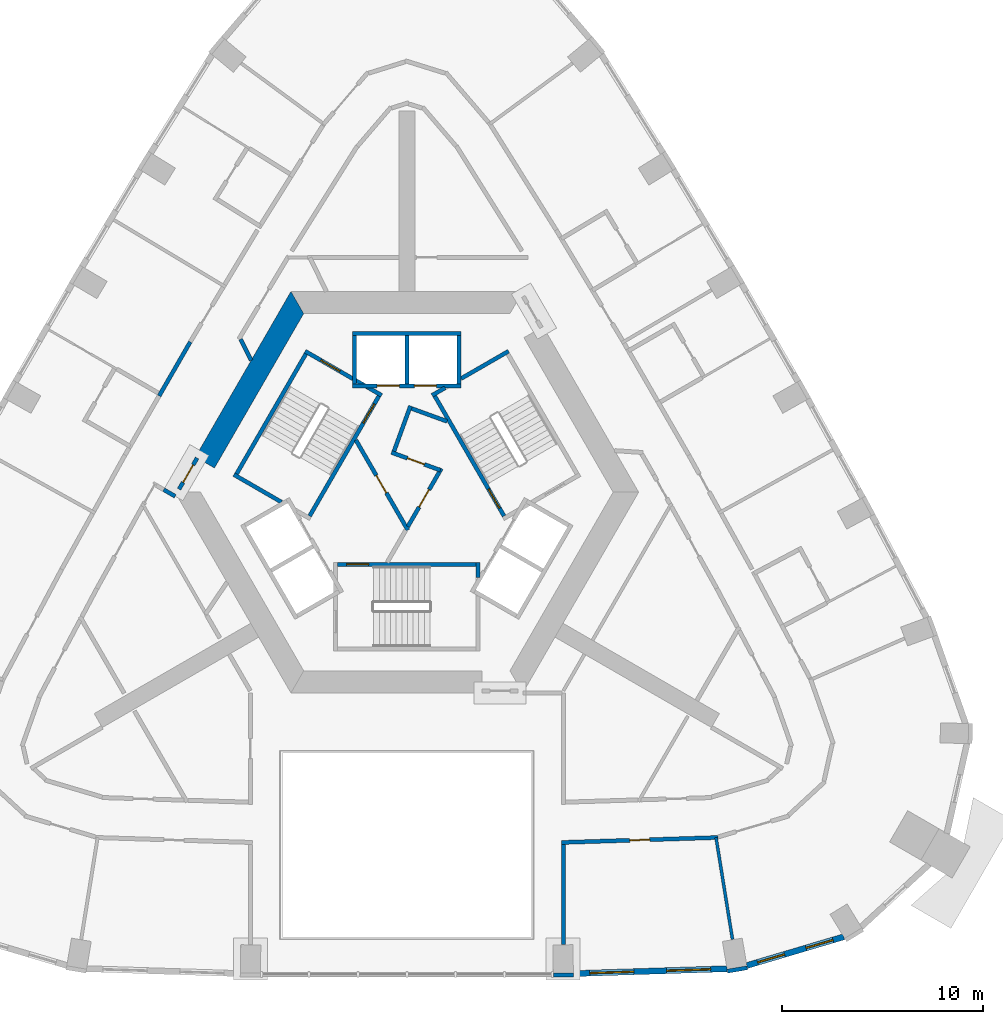
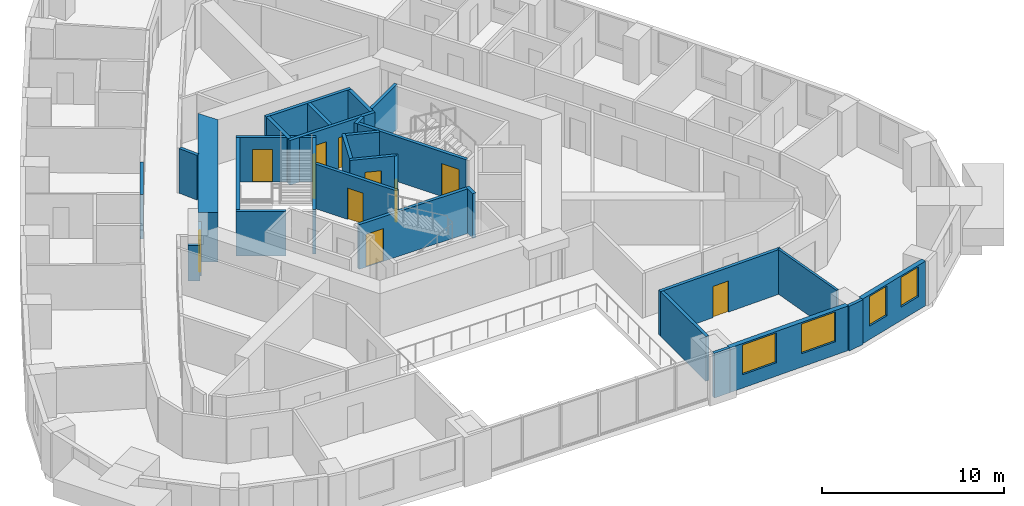
# One storey, part 5 of 12: 31 walls, 11 doors, 4 windows, 15 openings.
"""IFC4 building model written with IfcOpenShell, lengths in metres."""

from ifc_helpers import new_model, si_unit, direction, frame, frame_2d, origin, place, context, subcontext, project, spatial, polyline, rectangle, outline, extrude, material, layer, layer_set, type_object, element, fill, save


model = new_model("IFC4")

# Units and contexts
model_context = context("Model", 3, precision=1e-05, world=origin(), true_north=direction((0.0, 1.0)))
body_context = subcontext(model_context, "Body", "Model", "MODEL_VIEW")
ifc_project = project(units=[si_unit("LENGTHUNIT", "METRE"), si_unit("AREAUNIT", "SQUARE_METRE"), si_unit("VOLUMEUNIT", "CUBIC_METRE"), si_unit("PLANEANGLEUNIT", "RADIAN"), si_unit("MASSUNIT", "GRAM", prefix="KILO")], contexts=[model_context])

# Site, building, storey
site_placement = place(None, origin())
site = spatial("IfcSite", under=ifc_project, at=site_placement, CompositionType="ELEMENT")
building_placement = place(site_placement, origin())
building = spatial("IfcBuilding", under=site, at=building_placement, Name="Entoto Arch Interchange Tower", CompositionType="ELEMENT")
storey_placement = place(building_placement, frame((0.0, 0.0, 277.39990234375)))
storey = spatial("IfcBuildingStorey", under=building, at=storey_placement, Name="L64", CompositionType="ELEMENT", Elevation=277.39990234375)

# Wall, opening, door
ifc_material_1 = material(Name="Reinforced concrete C40/50", Category="concrete")
ifc_layer_1 = layer(ifc_material_1, 0.199951171875)
ifc_layer_set_1 = layer_set([ifc_layer_1], Name="Reinforced concrete C40/50")
wall_type_1 = type_object("IfcWallType", Name="CORE GAP INFILL WALL", PredefinedType="PARTITIONING", material=ifc_layer_set_1)
wall_1_placement = place(storey_placement, frame((-10.448974609375, 4.202880859375, 0.0), z_axis=(0.0, 0.0, 1.0), x_axis=(-0.499914839587, -0.866074565589, 0.0)))
wall_1 = element("IfcWall", 1, at=wall_1_placement, inside=storey, type_object=wall_type_1, Name="wall:L64:gap3", PredefinedType="PARTITIONING", context=body_context, shape_type="SweptSolid", body=[
    extrude(rectangle(XDim=1.794189453125, YDim=0.199951171875, at=frame_2d((0.89697265625, 0.0))), origin(), (0.0, 0.0, 1.0), 2.400146484375),
])
opening_1_placement = place(wall_1_placement, frame((0.39697265625, 0.0, 0.0)))
opening_1 = element("IfcOpeningElement", 2, at=opening_1_placement, cuts=wall_1, Name="Opening L64-D93", PredefinedType="OPENING", context=body_context, shape_type="SweptSolid", body=[
    extrude(rectangle(XDim=1.0, YDim=2.10009765625, at=frame_2d((0.5, 1.050048828125))), frame((0.0, 0.10986328125, 0.0), z_axis=(0.0, -1.0, 0.0), x_axis=(1.0, 0.0, 0.0)), (0.0, 0.0, 1.0), 0.219970703125),
])
ifc_material_2 = material(Name="Fire-rated Steel S235 door and frame", Category="steel")
door_type_1 = type_object("IfcDoorType", Name="DOOR FD-10 1000x2100", OperationType="SINGLE_SWING_LEFT", PredefinedType="DOOR", material=ifc_material_2)
door_1_placement = place(opening_1_placement, origin())
door_1 = element("IfcDoor", 3, at=door_1_placement, inside=storey, type_object=door_type_1, Name="door:L64:gap3", OperationType="SINGLE_SWING_LEFT", OverallHeight=2.10009765625, OverallWidth=1.0, PredefinedType="DOOR", context=body_context, shape_type="SweptSolid", body=[
    extrude(rectangle(XDim=1.0, YDim=2.10009765625, at=frame_2d((0.5, 1.050048828125))), frame((0.0, 0.02490234375, 0.0), z_axis=(0.0, -1.0, 0.0), x_axis=(1.0, 0.0, 0.0)), (0.0, 0.0, 1.0), 0.050048828125),
])
fill(opening_1, door_1)

# Wall
ifc_material_3 = material(Name="Concrete C40/50", Category="concrete")
ifc_layer_2 = layer(ifc_material_3, 1.10009765625)
ifc_layer_set_2 = layer_set([ifc_layer_2], Name="Concrete C40/50")
wall_type_2 = type_object("IfcWallType", Name="Core wall 1100 C40/50", PredefinedType="SHEAR", material=ifc_layer_set_2)
wall_2_placement = place(storey_placement, frame((0.0, 0.0, -0.33984375)))
element("IfcWall", 4, at=wall_2_placement, inside=storey, type_object=wall_type_2, Name="Core wall NW L64", PredefinedType="SHEAR", context=body_context, shape_type="SweptSolid", body=[
    extrude(outline(polyline([(-10.534912109375, 4.2529296875), (-9.5830078125, 3.702880859375), (-5.137939453125, 11.39990234375), (-5.77392578125, 12.5), (-10.534912109375, 4.2529296875)])), origin(), (0.0, 0.0, 1.0), 3.33984375),
])

# Wall, openings, doors
ifc_layer_3 = layer(ifc_material_3, 0.199951171875)
ifc_layer_set_3 = layer_set([ifc_layer_3], Name="Concrete C40/50")
wall_type_3 = type_object("IfcWallType", Name="LIFT SHAFT WALL 200", PredefinedType="STANDARD", material=ifc_layer_set_3)
wall_3_placement = place(storey_placement, frame((2.699951171875, 7.800048828125, 0.0), z_axis=(0.0, 0.0, 1.0), x_axis=(-1.0, 0.0, 0.0)))
wall_3 = element("IfcWall", 5, at=wall_3_placement, inside=storey, type_object=wall_type_3, Name="Shaft wall N1 front", PredefinedType="STANDARD", context=body_context, shape_type="SweptSolid", body=[
    extrude(rectangle(XDim=5.39990234375, YDim=0.199951171875, at=frame_2d((2.699951171875, 0.0))), origin(), (0.0, 0.0, 1.0), 3.0),
])
opening_2_placement = place(wall_3_placement, frame((1.22509765625, 0.0, 0.0)))
opening_2 = element("IfcOpeningElement", 6, at=opening_2_placement, cuts=wall_3, Name="Opening LD-HR1-L64", PredefinedType="OPENING", context=body_context, shape_type="SweptSolid", body=[
    extrude(rectangle(XDim=1.10009765625, YDim=2.10009765625, at=frame_2d((0.550048828125, 1.050048828125))), frame((0.0, 0.10986328125, 0.0), z_axis=(0.0, -1.0, 0.0), x_axis=(1.0, 0.0, 0.0)), (0.0, 0.0, 1.0), 0.219970703125),
])
opening_3_placement = place(wall_3_placement, frame((3.074951171875, 0.0, 0.0)))
opening_3 = element("IfcOpeningElement", 7, at=opening_3_placement, cuts=wall_3, Name="Opening LD-HR2-L64", PredefinedType="OPENING", context=body_context, shape_type="SweptSolid", body=[
    extrude(rectangle(XDim=1.10009765625, YDim=2.10009765625, at=frame_2d((0.550048828125, 1.050048828125))), frame((0.0, 0.10986328125, 0.0), z_axis=(0.0, -1.0, 0.0), x_axis=(1.0, 0.0, 0.0)), (0.0, 0.0, 1.0), 0.219970703125),
])
ifc_material_4 = material(Name="Stainless steel 1.4301 panels", Category="steel")
door_type_2 = type_object("IfcDoorType", Name="LIFT LANDING DOOR LD1 1100x2100", OperationType="SLIDING_TO_LEFT", PredefinedType="DOOR", material=ifc_material_4)
door_2_placement = place(opening_2_placement, origin())
door_2 = element("IfcDoor", 8, at=door_2_placement, inside=storey, type_object=door_type_2, Name="Lift landing door HR1 L64", OperationType="SLIDING_TO_LEFT", OverallHeight=2.10009765625, OverallWidth=1.10009765625, PredefinedType="DOOR", context=body_context, shape_type="SweptSolid", body=[
    extrude(rectangle(XDim=1.10009765625, YDim=2.10009765625, at=frame_2d((0.550048828125, 1.050048828125))), frame((0.0, 0.02490234375, 0.0), z_axis=(0.0, -1.0, 0.0), x_axis=(1.0, 0.0, 0.0)), (0.0, 0.0, 1.0), 0.050048828125),
])
fill(opening_2, door_2)
door_3_placement = place(opening_3_placement, origin())
door_3 = element("IfcDoor", 9, at=door_3_placement, inside=storey, type_object=door_type_2, Name="Lift landing door HR2 L64", OperationType="SLIDING_TO_LEFT", OverallHeight=2.10009765625, OverallWidth=1.10009765625, PredefinedType="DOOR", context=body_context, shape_type="SweptSolid", body=[
    extrude(rectangle(XDim=1.10009765625, YDim=2.10009765625, at=frame_2d((0.550048828125, 1.050048828125))), frame((0.0, 0.02490234375, 0.0), z_axis=(0.0, -1.0, 0.0), x_axis=(1.0, 0.0, 0.0)), (0.0, 0.0, 1.0), 0.050048828125),
])
fill(opening_3, door_3)

# Walls
wall_4_placement = place(storey_placement, frame((2.699951171875, 10.39990234375, 0.0), z_axis=(0.0, 0.0, 1.0), x_axis=(-1.0, 0.0, 0.0)))
element("IfcWall", 10, at=wall_4_placement, inside=storey, type_object=wall_type_3, Name="Shaft wall N1 back", PredefinedType="STANDARD", context=body_context, shape_type="SweptSolid", body=[
    extrude(rectangle(XDim=5.39990234375, YDim=0.199951171875, at=frame_2d((2.699951171875, 0.0))), origin(), (0.0, 0.0, 1.0), 3.0),
])
for number, where, z_axis, x_axis, name in (
    (11, (2.60009765625, 7.89990234375, 0.0), (0.0, 0.0, 1.0), (0.0, 1.0, 0.0), "Shaft wall N1 cross 1"),
    (12, (0.0, 7.89990234375, 0.0), (0.0, 0.0, 1.0), (0.0, 1.0, 0.0), "Shaft wall N1 cross 2"),
    (13, (-2.60009765625, 7.89990234375, 0.0), (0.0, 0.0, 1.0), (0.0, 1.0, 0.0), "Shaft wall N1 cross 3"),
):
    element("IfcWall", number, at=place(storey_placement, frame(where, z_axis=z_axis, x_axis=x_axis)), inside=storey, type_object=wall_type_3, Name=name, PredefinedType="STANDARD", context=body_context, shape_type="SweptSolid", body=[
        extrude(rectangle(XDim=2.400146484375, YDim=0.199951171875, at=frame_2d((1.2001953125, 0.0))), origin(), (0.0, 0.0, 1.0), 3.0),
    ])
ifc_material_5 = material(Name="Gypsum board partition on steel studs", Category="steel")
ifc_layer_4 = layer(ifc_material_5, 0.14990234375)
ifc_layer_set_4 = layer_set([ifc_layer_4], Name="Gypsum board partition on steel studs")
wall_type_4 = type_object("IfcWallType", Name="PARTITION 150", PredefinedType="PARTITIONING", material=ifc_layer_set_4)
wall_5_placement = place(storey_placement, frame((15.403076171875, -14.705078125, 0.0), z_axis=(0.0, 0.0, 1.0), x_axis=(0.159447664828, -0.98720638277, 0.0)))
element("IfcWall", 14, at=wall_5_placement, inside=storey, type_object=wall_type_4, Name="wall:L64:p094", PredefinedType="PARTITIONING", context=body_context, shape_type="SweptSolid", body=[
    extrude(rectangle(XDim=5.135498046875, YDim=0.14990234375, at=frame_2d((2.56787109375, 0.0))), origin(), (0.0, 0.0, 1.0), 3.0),
])
ifc_layer_5 = layer(ifc_material_5, 0.199951171875)
ifc_layer_set_5 = layer_set([ifc_layer_5], Name="Gypsum board partition on steel studs")
wall_type_5 = type_object("IfcWallType", Name="PARTITION 200", PredefinedType="PARTITIONING", material=ifc_layer_set_5)
wall_6_placement = place(storey_placement, frame((2.0048828125, 6.027099609375, 0.0), z_axis=(0.0, 0.0, 1.0), x_axis=(-0.93978203596, 0.341774377167, 0.0)))
element("IfcWall", 15, at=wall_6_placement, inside=storey, type_object=wall_type_5, Name="wall:L64:p001", PredefinedType="PARTITIONING", context=body_context, shape_type="SweptSolid", body=[
    extrude(rectangle(XDim=1.8779296875, YDim=0.199951171875, at=frame_2d((0.93896484375, 0.0))), origin(), (0.0, 0.0, 1.0), 3.0),
])
wall_7_placement = place(storey_placement, frame((0.180908203125, 6.797119140625, 0.0), z_axis=(0.0, 0.0, 1.0), x_axis=(-0.342020767299, -0.939692393678, 0.0)))
element("IfcWall", 16, at=wall_7_placement, inside=storey, type_object=wall_type_5, Name="wall:L64:p002", PredefinedType="PARTITIONING", context=body_context, shape_type="SweptSolid", body=[
    extrude(rectangle(XDim=2.39990234375, YDim=0.199951171875, at=frame_2d((1.199951171875, 0.0))), origin(), (0.0, 0.0, 1.0), 3.0),
])

# Wall, opening, door
wall_8_placement = place(storey_placement, frame((-0.76806640625, 4.48193359375, 0.0), z_axis=(0.0, 0.0, 1.0), x_axis=(0.939664280748, -0.342097996905, 0.0)))
wall_8 = element("IfcWall", 17, at=wall_8_placement, inside=storey, type_object=wall_type_5, Name="wall:L64:p003", PredefinedType="PARTITIONING", context=body_context, shape_type="SweptSolid", body=[
    extrude(rectangle(XDim=2.595458984375, YDim=0.199951171875, at=frame_2d((1.2978515625, 0.0))), origin(), (0.0, 0.0, 1.0), 3.0),
])
opening_4_placement = place(wall_8_placement, frame((0.847900390625, 0.0, 0.0)))
opening_4 = element("IfcOpeningElement", 18, at=opening_4_placement, cuts=wall_8, Name="Opening L64-D35", PredefinedType="OPENING", context=body_context, shape_type="SweptSolid", body=[
    extrude(rectangle(XDim=0.89990234375, YDim=2.10009765625, at=frame_2d((0.449951171875, 1.050048828125))), frame((0.0, 0.10986328125, 0.0), z_axis=(0.0, -1.0, 0.0), x_axis=(1.0, 0.0, 0.0)), (0.0, 0.0, 1.0), 0.219970703125),
])
ifc_material_6 = material(Name="Timber door leaf in Steel S235 frame", Category="steel")
door_type_3 = type_object("IfcDoorType", Name="DOOR DS-09 900x2100", OperationType="SINGLE_SWING_LEFT", PredefinedType="DOOR", material=ifc_material_6)
door_4_placement = place(opening_4_placement, origin())
door_4 = element("IfcDoor", 19, at=door_4_placement, inside=storey, type_object=door_type_3, Name="door:L64:35", OperationType="SINGLE_SWING_LEFT", OverallHeight=2.10009765625, OverallWidth=0.89990234375, PredefinedType="DOOR", context=body_context, shape_type="SweptSolid", body=[
    extrude(rectangle(XDim=0.89990234375, YDim=2.10009765625, at=frame_2d((0.449951171875, 1.050048828125))), frame((0.0, 0.02490234375, 0.0), z_axis=(0.0, -1.0, 0.0), x_axis=(1.0, 0.0, 0.0)), (0.0, 0.0, 1.0), 0.050048828125),
])
fill(opening_4, door_4)

# Walls
wall_9_placement = place(storey_placement, frame((-11.5390625, 2.294921875, 0.0), z_axis=(0.0, 0.0, 1.0), x_axis=(-0.86577241902, 0.500437926684, 0.0)))
element("IfcWall", 20, at=wall_9_placement, inside=storey, type_object=wall_type_5, Name="wall:L64:p004", PredefinedType="PARTITIONING", context=body_context, shape_type="SweptSolid", body=[
    extrude(rectangle(XDim=0.65966796875, YDim=0.199951171875, at=frame_2d((0.329833984375, 0.0))), origin(), (0.0, 0.0, 1.0), 2.400146484375),
])
wall_10_placement = place(storey_placement, frame((-8.27587890625, 10.1201171875, 0.0), z_axis=(0.0, 0.0, 1.0), x_axis=(0.440226122236, -0.897886942382, 0.0)))
element("IfcWall", 21, at=wall_10_placement, inside=storey, type_object=wall_type_5, Name="wall:L64:p008", PredefinedType="PARTITIONING", context=body_context, shape_type="SweptSolid", body=[
    extrude(rectangle(XDim=1.17626953125, YDim=0.199951171875, at=frame_2d((0.588134765625, 0.0))), origin(), (0.0, 0.0, 1.0), 3.0),
])

# Wall, opening, door
wall_11_placement = place(storey_placement, frame((15.5029296875, -14.701904296875, 0.0), z_axis=(0.0, 0.0, 1.0), x_axis=(-0.999495120537, -0.031772693047, 0.0)))
wall_11 = element("IfcWall", 22, at=wall_11_placement, inside=storey, type_object=wall_type_5, Name="wall:L64:p037", PredefinedType="PARTITIONING", context=body_context, shape_type="SweptSolid", body=[
    extrude(rectangle(XDim=7.806884765625, YDim=0.199951171875, at=frame_2d((3.9033203125, 0.0))), origin(), (0.0, 0.0, 1.0), 3.0),
])
opening_5_placement = place(wall_11_placement, frame((3.403076171875, 0.0, 0.0)))
opening_5 = element("IfcOpeningElement", 23, at=opening_5_placement, cuts=wall_11, Name="Opening L64-D16", PredefinedType="OPENING", context=body_context, shape_type="SweptSolid", body=[
    extrude(rectangle(XDim=1.0, YDim=2.10009765625, at=frame_2d((0.5, 1.050048828125))), frame((0.0, 0.10986328125, 0.0), z_axis=(0.0, -1.0, 0.0), x_axis=(1.0, 0.0, 0.0)), (0.0, 0.0, 1.0), 0.219970703125),
])
door_type_4 = type_object("IfcDoorType", Name="DOOR DS-10 1000x2100", OperationType="SINGLE_SWING_LEFT", PredefinedType="DOOR", material=ifc_material_6)
door_5_placement = place(opening_5_placement, origin())
door_5 = element("IfcDoor", 24, at=door_5_placement, inside=storey, type_object=door_type_4, Name="door:L64:16", OperationType="SINGLE_SWING_LEFT", OverallHeight=2.10009765625, OverallWidth=1.0, PredefinedType="DOOR", context=body_context, shape_type="SweptSolid", body=[
    extrude(rectangle(XDim=1.0, YDim=2.10009765625, at=frame_2d((0.5, 1.050048828125))), frame((0.0, 0.02490234375, 0.0), z_axis=(0.0, -1.0, 0.0), x_axis=(1.0, 0.0, 0.0)), (0.0, 0.0, 1.0), 0.050048828125),
])
fill(opening_5, door_5)

# Wall
wall_12_placement = place(storey_placement, frame((-12.337890625, 7.300048828125, 0.0), z_axis=(0.0, 0.0, 1.0), x_axis=(0.4996633593, 0.866219676164, 0.0)))
element("IfcWall", 25, at=wall_12_placement, inside=storey, type_object=wall_type_5, Name="wall:L64:p060", PredefinedType="PARTITIONING", context=body_context, shape_type="SweptSolid", body=[
    extrude(rectangle(XDim=3.099853515625, YDim=0.199951171875, at=frame_2d((1.5498046875, 0.0))), origin(), (0.0, 0.0, 1.0), 3.0),
])

# Wall, opening, door
wall_13_placement = place(storey_placement, frame((0.050048828125, 0.787109375, 0.0), z_axis=(0.0, 0.0, 1.0), x_axis=(0.500036563046, 0.866004293071, 0.0)))
wall_13 = element("IfcWall", 26, at=wall_13_placement, inside=storey, type_object=wall_type_5, Name="wall:L64:p078", PredefinedType="PARTITIONING", context=body_context, shape_type="SweptSolid", body=[
    extrude(rectangle(XDim=3.341552734375, YDim=0.199951171875, at=frame_2d((1.6708984375, 0.0))), origin(), (0.0, 0.0, 1.0), 3.0),
])
opening_6_placement = place(wall_13_placement, frame((1.12109375, 0.0, 0.0)))
opening_6 = element("IfcOpeningElement", 27, at=opening_6_placement, cuts=wall_13, Name="Opening L64-D33", PredefinedType="OPENING", context=body_context, shape_type="SweptSolid", body=[
    extrude(rectangle(XDim=1.0, YDim=2.10009765625, at=frame_2d((0.5, 1.050048828125))), frame((0.0, 0.10986328125, 0.0), z_axis=(0.0, -1.0, 0.0), x_axis=(1.0, 0.0, 0.0)), (0.0, 0.0, 1.0), 0.219970703125),
])
door_6_placement = place(opening_6_placement, origin())
door_6 = element("IfcDoor", 28, at=door_6_placement, inside=storey, type_object=door_type_1, Name="door:L64:33", OperationType="SINGLE_SWING_LEFT", OverallHeight=2.10009765625, OverallWidth=1.0, PredefinedType="DOOR", context=body_context, shape_type="SweptSolid", body=[
    extrude(rectangle(XDim=1.0, YDim=2.10009765625, at=frame_2d((0.5, 1.050048828125))), frame((0.0, 0.02490234375, 0.0), z_axis=(0.0, -1.0, 0.0), x_axis=(1.0, 0.0, 0.0)), (0.0, 0.0, 1.0), 0.050048828125),
])
fill(opening_6, door_6)

wall_14_placement = place(storey_placement, frame((-2.5400390625, 5.10009765625, 0.0), z_axis=(0.0, 0.0, 1.0), x_axis=(0.499925051871, -0.866068670783, 0.0)))
wall_14 = element("IfcWall", 29, at=wall_14_placement, inside=storey, type_object=wall_type_5, Name="wall:L64:p079", PredefinedType="PARTITIONING", context=body_context, shape_type="SweptSolid", body=[
    extrude(rectangle(XDim=5.180908203125, YDim=0.199951171875, at=frame_2d((2.59033203125, 0.0))), origin(), (0.0, 0.0, 1.0), 3.0),
])
opening_7_placement = place(wall_14_placement, frame((2.0400390625, 0.0, 0.0)))
opening_7 = element("IfcOpeningElement", 30, at=opening_7_placement, cuts=wall_14, Name="Opening L64-D34", PredefinedType="OPENING", context=body_context, shape_type="SweptSolid", body=[
    extrude(rectangle(XDim=1.0, YDim=2.10009765625, at=frame_2d((0.5, 1.050048828125))), frame((0.0, 0.10986328125, 0.0), z_axis=(0.0, -1.0, 0.0), x_axis=(1.0, 0.0, 0.0)), (0.0, 0.0, 1.0), 0.219970703125),
])
door_7_placement = place(opening_7_placement, origin())
door_7 = element("IfcDoor", 31, at=door_7_placement, inside=storey, type_object=door_type_1, Name="door:L64:34", OperationType="SINGLE_SWING_LEFT", OverallHeight=2.10009765625, OverallWidth=1.0, PredefinedType="DOOR", context=body_context, shape_type="SweptSolid", body=[
    extrude(rectangle(XDim=1.0, YDim=2.10009765625, at=frame_2d((0.5, 1.050048828125))), frame((0.0, 0.02490234375, 0.0), z_axis=(0.0, -1.0, 0.0), x_axis=(1.0, 0.0, 0.0)), (0.0, 0.0, 1.0), 0.050048828125),
])
fill(opening_7, door_7)

# Walls
wall_15_placement = place(storey_placement, frame((7.800048828125, -15.047119140625, 0.0), z_axis=(0.0, 0.0, 1.0), x_axis=(0.0, -1.0, 0.0)))
element("IfcWall", 32, at=wall_15_placement, inside=storey, type_object=wall_type_5, Name="wall:L64:p084", PredefinedType="PARTITIONING", context=body_context, shape_type="SweptSolid", body=[
    extrude(rectangle(XDim=4.98291015625, YDim=0.199951171875, at=frame_2d((2.491455078125, 0.0))), origin(), (0.0, 0.0, 1.0), 3.0),
])
ifc_layer_6 = layer(ifc_material_3, 0.199951171875)
ifc_layer_set_6 = layer_set([ifc_layer_6], Name="Concrete C40/50")
wall_type_6 = type_object("IfcWallType", Name="STAIR ENCLOSURE WALL 200", PredefinedType="STANDARD", material=ifc_layer_set_6)
wall_16_placement = place(storey_placement, frame((3.550048828125, -1.0, 0.0), z_axis=(0.0, 0.0, 1.0), x_axis=(0.0, -1.0, 0.0)))
element("IfcWall", 33, at=wall_16_placement, inside=storey, type_object=wall_type_6, Name="Stair wall ST-S far return", PredefinedType="STANDARD", context=body_context, shape_type="SweptSolid", body=[
    extrude(rectangle(XDim=0.7509765625, YDim=0.199951171875, at=frame_2d((0.37548828125, 0.0))), origin(), (0.0, 0.0, 1.0), 3.0),
])

# Wall, opening, door
wall_17_placement = place(storey_placement, frame((-3.449951171875, -1.10009765625, 0.0), z_axis=(0.0, 0.0, 1.0), x_axis=(1.0, 0.0, 0.0)))
wall_17 = element("IfcWall", 34, at=wall_17_placement, inside=storey, type_object=wall_type_6, Name="Stair wall ST-S hall", PredefinedType="STANDARD", context=body_context, shape_type="SweptSolid", body=[
    extrude(rectangle(XDim=6.89990234375, YDim=0.199951171875, at=frame_2d((3.449951171875, 0.0))), origin(), (0.0, 0.0, 1.0), 3.0),
])
opening_8_placement = place(wall_17_placement, frame((0.449951171875, 0.0, 0.0)))
opening_8 = element("IfcOpeningElement", 35, at=opening_8_placement, cuts=wall_17, Name="Opening SD-ST-S-L64", PredefinedType="OPENING", context=body_context, shape_type="SweptSolid", body=[
    extrude(rectangle(XDim=1.10009765625, YDim=2.199951171875, at=frame_2d((0.550048828125, 1.10009765625))), frame((0.0, 0.10986328125, 0.0), z_axis=(0.0, -1.0, 0.0), x_axis=(1.0, 0.0, 0.0)), (0.0, 0.0, 1.0), 0.219970703125),
])
ifc_material_7 = material(Name="Steel S235", Category="steel")
door_type_5 = type_object("IfcDoorType", Name="STAIR DOOR SD1 1100x2200", OperationType="SINGLE_SWING_LEFT", PredefinedType="DOOR", material=ifc_material_7)
door_8_placement = place(opening_8_placement, origin())
door_8 = element("IfcDoor", 36, at=door_8_placement, inside=storey, type_object=door_type_5, Name="Stair door ST-S L64", OperationType="SINGLE_SWING_LEFT", OverallHeight=2.199951171875, OverallWidth=1.10009765625, PredefinedType="DOOR", context=body_context, shape_type="SweptSolid", body=[
    extrude(rectangle(XDim=1.10009765625, YDim=2.199951171875, at=frame_2d((0.550048828125, 1.10009765625))), frame((0.0, 0.02490234375, 0.0), z_axis=(0.0, -1.0, 0.0), x_axis=(1.0, 0.0, 0.0)), (0.0, 0.0, 1.0), 0.050048828125),
])
fill(opening_8, door_8)

# Walls
wall_18_placement = place(storey_placement, frame((2.699951171875, 8.157958984375, 0.0), z_axis=(0.0, 0.0, 1.0), x_axis=(0.86611865017, 0.499838457731, 0.0)))
element("IfcWall", 37, at=wall_18_placement, inside=storey, type_object=wall_type_6, Name="Stair wall ST-NE far", PredefinedType="STANDARD", context=body_context, shape_type="SweptSolid", body=[
    extrude(rectangle(XDim=2.73291015625, YDim=0.199951171875, at=frame_2d((1.366455078125, 0.0))), origin(), (0.0, 0.0, 1.0), 3.0),
])
wall_19_placement = place(storey_placement, frame((1.256103515625, 7.323974609375, 0.0), z_axis=(0.0, 0.0, 1.0), x_axis=(0.865915093549, 0.500191014278, 0.0)))
element("IfcWall", 38, at=wall_19_placement, inside=storey, type_object=wall_type_6, Name="Stair wall ST-NE far return", PredefinedType="STANDARD", context=body_context, shape_type="SweptSolid", body=[
    extrude(rectangle(XDim=0.751708984375, YDim=0.199951171875, at=frame_2d((0.3759765625, 0.0))), origin(), (0.0, 0.0, 1.0), 3.0),
])

# Wall, opening, door
wall_20_placement = place(storey_placement, frame((4.843017578125, 1.31201171875, 0.0), z_axis=(0.0, 0.0, 1.0), x_axis=(-0.499963383562, 0.866046543262, 0.0)))
wall_20 = element("IfcWall", 39, at=wall_20_placement, inside=storey, type_object=wall_type_6, Name="Stair wall ST-NE hall", PredefinedType="STANDARD", context=body_context, shape_type="SweptSolid", body=[
    extrude(rectangle(XDim=6.900390625, YDim=0.199951171875, at=frame_2d((3.4501953125, 0.0))), origin(), (0.0, 0.0, 1.0), 3.0),
])
opening_9_placement = place(wall_20_placement, frame((0.449951171875, 0.0, 0.0)))
opening_9 = element("IfcOpeningElement", 40, at=opening_9_placement, cuts=wall_20, Name="Opening SD-ST-NE-L64", PredefinedType="OPENING", context=body_context, shape_type="SweptSolid", body=[
    extrude(rectangle(XDim=1.10009765625, YDim=2.199951171875, at=frame_2d((0.550048828125, 1.10009765625))), frame((0.0, 0.10986328125, 0.0), z_axis=(0.0, -1.0, 0.0), x_axis=(1.0, 0.0, 0.0)), (0.0, 0.0, 1.0), 0.219970703125),
])
door_9_placement = place(opening_9_placement, origin())
door_9 = element("IfcDoor", 41, at=door_9_placement, inside=storey, type_object=door_type_5, Name="Stair door ST-NE L64", OperationType="SINGLE_SWING_LEFT", OverallHeight=2.199951171875, OverallWidth=1.10009765625, PredefinedType="DOOR", context=body_context, shape_type="SweptSolid", body=[
    extrude(rectangle(XDim=1.10009765625, YDim=2.199951171875, at=frame_2d((0.550048828125, 1.10009765625))), frame((0.0, 0.02490234375, 0.0), z_axis=(0.0, -1.0, 0.0), x_axis=(1.0, 0.0, 0.0)), (0.0, 0.0, 1.0), 0.050048828125),
])
fill(opening_9, door_9)

wall_21_placement = place(storey_placement, frame((-1.256103515625, 7.323974609375, 0.0), z_axis=(0.0, 0.0, 1.0), x_axis=(-0.866046073146, 0.499964197906, 0.0)))
wall_21 = element("IfcWall", 42, at=wall_21_placement, inside=storey, type_object=wall_type_6, Name="Stair wall ST-NW near", PredefinedType="STANDARD", context=body_context, shape_type="SweptSolid", body=[
    extrude(rectangle(XDim=4.400146484375, YDim=0.199951171875, at=frame_2d((2.2001953125, 0.0))), origin(), (0.0, 0.0, 1.0), 3.0),
])
opening_10_placement = place(wall_21_placement, frame((2.39990234375, 0.0, 0.0)))
opening_10 = element("IfcOpeningElement", 43, at=opening_10_placement, cuts=wall_21, Name="Opening SD-ST-NW-L64-E", PredefinedType="OPENING", context=body_context, shape_type="SweptSolid", body=[
    extrude(rectangle(XDim=1.10009765625, YDim=2.199951171875, at=frame_2d((0.550048828125, 1.10009765625))), frame((0.0, 0.10986328125, 0.0), z_axis=(0.0, -1.0, 0.0), x_axis=(1.0, 0.0, 0.0)), (0.0, 0.0, 1.0), 0.219970703125),
])
door_10_placement = place(opening_10_placement, origin())
door_10 = element("IfcDoor", 44, at=door_10_placement, inside=storey, type_object=door_type_5, Name="Stair door ST-NW L64 end", OperationType="SINGLE_SWING_LEFT", OverallHeight=2.199951171875, OverallWidth=1.10009765625, PredefinedType="DOOR", context=body_context, shape_type="SweptSolid", body=[
    extrude(rectangle(XDim=1.10009765625, YDim=2.199951171875, at=frame_2d((0.550048828125, 1.10009765625))), frame((0.0, 0.02490234375, 0.0), z_axis=(0.0, -1.0, 0.0), x_axis=(1.0, 0.0, 0.0)), (0.0, 0.0, 1.0), 0.050048828125),
])
fill(opening_10, door_10)

# Wall
wall_22_placement = place(storey_placement, frame((-6.25, 2.010009765625, 0.0), z_axis=(0.0, 0.0, 1.0), x_axis=(-0.86611865017, 0.499838457731, 0.0)))
element("IfcWall", 45, at=wall_22_placement, inside=storey, type_object=wall_type_6, Name="Stair wall ST-NW far", PredefinedType="STANDARD", context=body_context, shape_type="SweptSolid", body=[
    extrude(rectangle(XDim=2.73291015625, YDim=0.199951171875, at=frame_2d((1.366455078125, 0.0))), origin(), (0.0, 0.0, 1.0), 3.0),
])

# Wall, opening, door
wall_23_placement = place(storey_placement, frame((-1.39306640625, 7.2880859375, 0.0), z_axis=(0.0, 0.0, 1.0), x_axis=(-0.499963383562, -0.866046543262, 0.0)))
wall_23 = element("IfcWall", 46, at=wall_23_placement, inside=storey, type_object=wall_type_6, Name="Stair wall ST-NW hall", PredefinedType="STANDARD", context=body_context, shape_type="SweptSolid", body=[
    extrude(rectangle(XDim=6.900390625, YDim=0.199951171875, at=frame_2d((3.4501953125, 0.0))), origin(), (0.0, 0.0, 1.0), 3.0),
])
opening_11_placement = place(wall_23_placement, frame((0.449951171875, 0.0, 0.0)))
opening_11 = element("IfcOpeningElement", 47, at=opening_11_placement, cuts=wall_23, Name="Opening SD-ST-NW-L64", PredefinedType="OPENING", context=body_context, shape_type="SweptSolid", body=[
    extrude(rectangle(XDim=1.10009765625, YDim=2.199951171875, at=frame_2d((0.550048828125, 1.10009765625))), frame((0.0, 0.10986328125, 0.0), z_axis=(0.0, -1.0, 0.0), x_axis=(1.0, 0.0, 0.0)), (0.0, 0.0, 1.0), 0.219970703125),
])
door_11_placement = place(opening_11_placement, origin())
door_11 = element("IfcDoor", 48, at=door_11_placement, inside=storey, type_object=door_type_5, Name="Stair door ST-NW L64", OperationType="SINGLE_SWING_LEFT", OverallHeight=2.199951171875, OverallWidth=1.10009765625, PredefinedType="DOOR", context=body_context, shape_type="SweptSolid", body=[
    extrude(rectangle(XDim=1.10009765625, YDim=2.199951171875, at=frame_2d((0.550048828125, 1.10009765625))), frame((0.0, 0.02490234375, 0.0), z_axis=(0.0, -1.0, 0.0), x_axis=(1.0, 0.0, 0.0)), (0.0, 0.0, 1.0), 0.050048828125),
])
fill(opening_11, door_11)

# Wall
wall_24_placement = place(storey_placement, frame((-5.030029296875, 9.387939453125, 0.0), z_axis=(0.0, 0.0, 1.0), x_axis=(-0.499978703459, -0.866037698999, 0.0)))
element("IfcWall", 49, at=wall_24_placement, inside=storey, type_object=wall_type_6, Name="Stair wall ST-NW back", PredefinedType="STANDARD", context=body_context, shape_type="SweptSolid", body=[
    extrude(rectangle(XDim=6.900146484375, YDim=0.199951171875, at=frame_2d((3.4501953125, 0.0))), origin(), (0.0, 0.0, 1.0), 3.0),
])

# Wall, openings, windows
ifc_material_8 = material(Name="Welded tuff (ignimbrite) cladding, warm buff", Category="masonry")
ifc_layer_7 = layer(ifc_material_8, 0.300048828125)
ifc_layer_set_7 = layer_set([ifc_layer_7], Name="Welded tuff (ignimbrite) cladding, warm buff")
wall_type_7 = type_object("IfcWallType", Name="STONE INFILL WALL 300", PredefinedType="STANDARD", material=ifc_layer_set_7)
wall_25_placement = place(storey_placement, frame((8.2958984375, -21.48388671875, 0.0), z_axis=(0.0, 0.0, 1.0), x_axis=(0.999496876383, 0.031717410046, 0.0)))
wall_25 = element("IfcWall", 50, at=wall_25_placement, inside=storey, type_object=wall_type_7, Name="Facade wall S-03 L64", PredefinedType="STANDARD", context=body_context, shape_type="SweptSolid", body=[
    extrude(rectangle(XDim=7.658935546875, YDim=0.300048828125, at=frame_2d((3.82958984375, 0.0))), origin(), (0.0, 0.0, 1.0), 3.0),
])
opening_12_placement = place(wall_25_placement, frame((0.81494140625, 0.0, 0.89990234375)))
opening_12 = element("IfcOpeningElement", 51, at=opening_12_placement, cuts=wall_25, Name="Opening WH-A", PredefinedType="OPENING", context=body_context, shape_type="SweptSolid", body=[
    extrude(rectangle(XDim=2.199951171875, YDim=2.0, at=frame_2d((1.10009765625, 1.0))), frame((0.0, 0.16015625, 0.0), z_axis=(0.0, -1.0, 0.0), x_axis=(1.0, 0.0, 0.0)), (0.0, 0.0, 1.0), 0.320068359375),
])
opening_13_placement = place(wall_25_placement, frame((4.64404296875, 0.0, 0.89990234375)))
opening_13 = element("IfcOpeningElement", 52, at=opening_13_placement, cuts=wall_25, Name="Opening WH-A", PredefinedType="OPENING", context=body_context, shape_type="SweptSolid", body=[
    extrude(rectangle(XDim=2.199951171875, YDim=2.0, at=frame_2d((1.10009765625, 1.0))), frame((0.0, 0.16015625, 0.0), z_axis=(0.0, -1.0, 0.0), x_axis=(1.0, 0.0, 0.0)), (0.0, 0.0, 1.0), 0.320068359375),
])
ifc_material_9 = material(Name="Clear glass, low-e double glazed", Category="glass")
window_type_1 = type_object("IfcWindowType", Name="WINDOW WH-A 2200x2000", PartitioningType="DOUBLE_PANEL_VERTICAL", PredefinedType="WINDOW", material=ifc_material_9)
window_1_placement = place(opening_12_placement, origin())
window_1 = element("IfcWindow", 53, at=window_1_placement, inside=storey, type_object=window_type_1, Name="Window WH-A S-03 L64", OverallHeight=2.0, OverallWidth=2.199951171875, PartitioningType="SINGLE_PANEL", PredefinedType="WINDOW", context=body_context, shape_type="SweptSolid", body=[
    extrude(rectangle(XDim=2.199951171875, YDim=2.0, at=frame_2d((1.10009765625, 1.0))), frame((0.0, 0.030029296875, 0.0), z_axis=(0.0, -1.0, 0.0), x_axis=(1.0, 0.0, 0.0)), (0.0, 0.0, 1.0), 0.06005859375),
])
fill(opening_12, window_1)
window_2_placement = place(opening_13_placement, origin())
window_2 = element("IfcWindow", 54, at=window_2_placement, inside=storey, type_object=window_type_1, Name="Window WH-A S-03 L64", OverallHeight=2.0, OverallWidth=2.199951171875, PartitioningType="SINGLE_PANEL", PredefinedType="WINDOW", context=body_context, shape_type="SweptSolid", body=[
    extrude(rectangle(XDim=2.199951171875, YDim=2.0, at=frame_2d((1.10009765625, 1.0))), frame((0.0, 0.030029296875, 0.0), z_axis=(0.0, -1.0, 0.0), x_axis=(1.0, 0.0, 0.0)), (0.0, 0.0, 1.0), 0.06005859375),
])
fill(opening_13, window_2)

wall_26_placement = place(storey_placement, frame((16.93701171875, -21.08203125, 0.0), z_axis=(0.0, 0.0, 1.0), x_axis=(0.95864045837, 0.284619872067, 0.0)))
wall_26 = element("IfcWall", 55, at=wall_26_placement, inside=storey, type_object=wall_type_7, Name="Facade wall SE-01 L64", PredefinedType="STANDARD", context=body_context, shape_type="SweptSolid", body=[
    extrude(rectangle(XDim=5.03515625, YDim=0.300048828125, at=frame_2d((2.517578125, 0.0))), origin(), (0.0, 0.0, 1.0), 3.0),
])
opening_14_placement = place(wall_26_placement, frame((0.55908203125, 0.0, 0.89990234375)))
opening_14 = element("IfcOpeningElement", 56, at=opening_14_placement, cuts=wall_26, Name="Opening WH-B", PredefinedType="OPENING", context=body_context, shape_type="SweptSolid", body=[
    extrude(rectangle(XDim=1.39990234375, YDim=2.0, at=frame_2d((0.699951171875, 1.0))), frame((0.0, 0.16015625, 0.0), z_axis=(0.0, -1.0, 0.0), x_axis=(1.0, 0.0, 0.0)), (0.0, 0.0, 1.0), 0.320068359375),
])
opening_15_placement = place(wall_26_placement, frame((3.075927734375, 0.0, 0.89990234375)))
opening_15 = element("IfcOpeningElement", 57, at=opening_15_placement, cuts=wall_26, Name="Opening WH-B", PredefinedType="OPENING", context=body_context, shape_type="SweptSolid", body=[
    extrude(rectangle(XDim=1.39990234375, YDim=2.0, at=frame_2d((0.699951171875, 1.0))), frame((0.0, 0.16015625, 0.0), z_axis=(0.0, -1.0, 0.0), x_axis=(1.0, 0.0, 0.0)), (0.0, 0.0, 1.0), 0.320068359375),
])
window_type_2 = type_object("IfcWindowType", Name="WINDOW WH-B 1400x2000", PartitioningType="DOUBLE_PANEL_VERTICAL", PredefinedType="WINDOW", material=ifc_material_9)
window_3_placement = place(opening_14_placement, origin())
window_3 = element("IfcWindow", 58, at=window_3_placement, inside=storey, type_object=window_type_2, Name="Window WH-B SE-01 L64", OverallHeight=2.0, OverallWidth=1.39990234375, PartitioningType="SINGLE_PANEL", PredefinedType="WINDOW", context=body_context, shape_type="SweptSolid", body=[
    extrude(rectangle(XDim=1.39990234375, YDim=2.0, at=frame_2d((0.699951171875, 1.0))), frame((0.0, 0.030029296875, 0.0), z_axis=(0.0, -1.0, 0.0), x_axis=(1.0, 0.0, 0.0)), (0.0, 0.0, 1.0), 0.06005859375),
])
fill(opening_14, window_3)
window_4_placement = place(opening_15_placement, origin())
window_4 = element("IfcWindow", 59, at=window_4_placement, inside=storey, type_object=window_type_2, Name="Window WH-B SE-01 L64", OverallHeight=2.0, OverallWidth=1.39990234375, PartitioningType="SINGLE_PANEL", PredefinedType="WINDOW", context=body_context, shape_type="SweptSolid", body=[
    extrude(rectangle(XDim=1.39990234375, YDim=2.0, at=frame_2d((0.699951171875, 1.0))), frame((0.0, 0.030029296875, 0.0), z_axis=(0.0, -1.0, 0.0), x_axis=(1.0, 0.0, 0.0)), (0.0, 0.0, 1.0), 0.06005859375),
])
fill(opening_15, window_4)

# Walls
ifc_layer_8 = layer(ifc_material_8, 0.199951171875)
ifc_layer_set_8 = layer_set([ifc_layer_8], Name="Welded tuff (ignimbrite) cladding, warm buff")
wall_type_8 = type_object("IfcWallType", Name="STONE PIER CLADDING 200", PredefinedType="STANDARD", material=ifc_layer_set_8)
for number, where, z_axis, x_axis, name in (
    (60, (7.298095703125, -21.55908203125, 0.0), (0.0, 0.0, 1.0), (0.999836842422, 0.018063458579, 0.0), "Stone pier S03 L64"),
    (61, (15.969970703125, -21.35888671875, 0.0), (0.0, 0.0, 1.0), (0.985961725342, 0.166971483074, 0.0), "Stone pier S04 L64"),
):
    element("IfcWall", number, at=place(storey_placement, frame(where, z_axis=z_axis, x_axis=x_axis)), inside=storey, type_object=wall_type_8, Name=name, PredefinedType="STANDARD", context=body_context, shape_type="SweptSolid", body=[
        extrude(rectangle(XDim=1.000244140625, YDim=0.199951171875, at=frame_2d((0.5, 0.0))), origin(), (0.0, 0.0, 1.0), 3.0),
    ])

save(model, "model.ifc")
